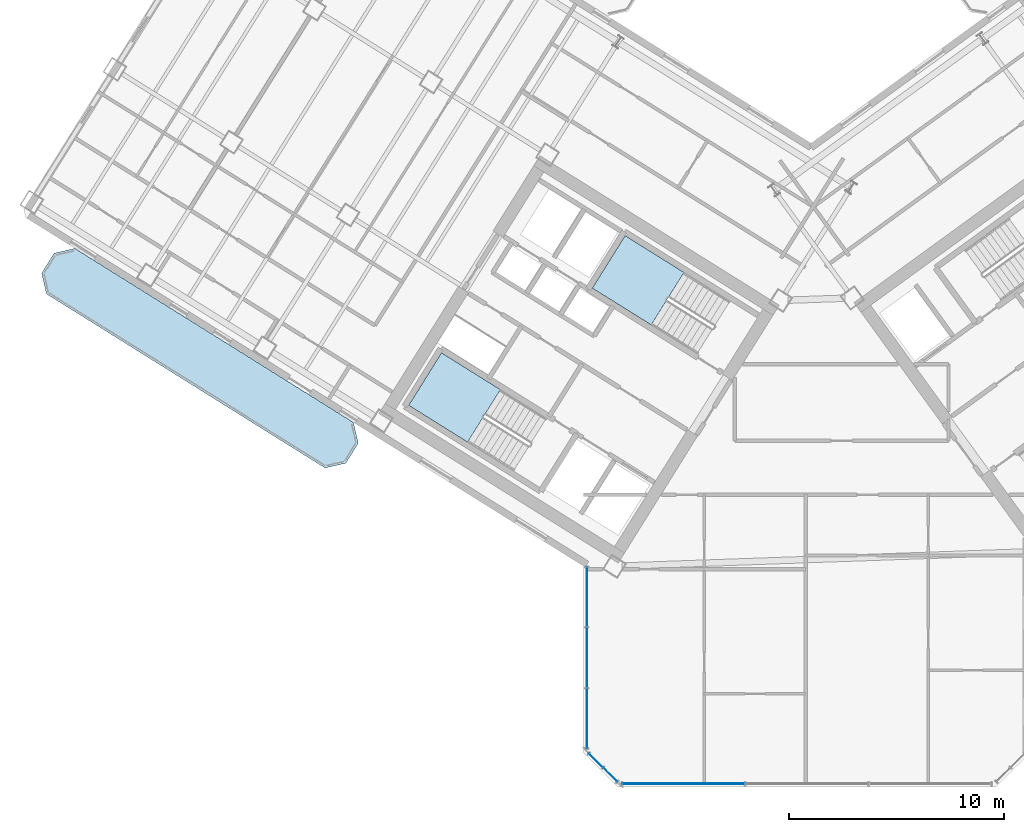
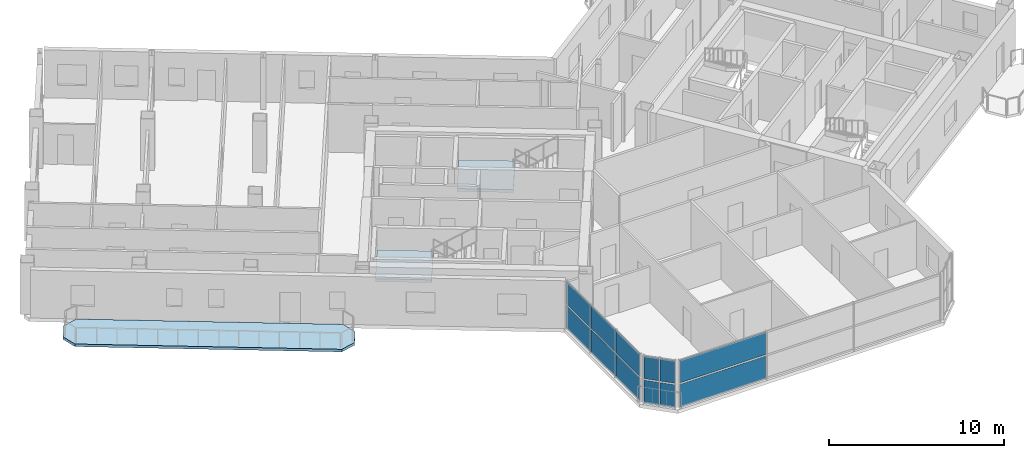
# One storey, part 8 of 20: 12 plates, 3 slabs, 5 elements without a shape of their own.
"""IFC4 building model written with IfcOpenShell, lengths in metres."""

from ifc_helpers import new_model, si_unit, direction, frame, origin, origin_2d, place, context, subcontext, project, spatial, polyline, rectangle, outline, extrude, source, transform, mapped, material, layer, layer_set, type_object, element, aggregate, save


model = new_model("IFC4")

# Units and contexts
model_context = context("Model", 3, precision=1e-05, world=origin(), true_north=direction((0.0, 1.0)))
body_context = subcontext(model_context, "Body", "Model", "MODEL_VIEW")
ifc_project = project(units=[si_unit("LENGTHUNIT", "METRE"), si_unit("AREAUNIT", "SQUARE_METRE"), si_unit("VOLUMEUNIT", "CUBIC_METRE"), si_unit("PLANEANGLEUNIT", "RADIAN"), si_unit("MASSUNIT", "GRAM", prefix="KILO")], contexts=[model_context])

# Site, building, storey
site_placement = place(None, origin())
site = spatial("IfcSite", under=ifc_project, at=site_placement, CompositionType="ELEMENT")
building_placement = place(site_placement, origin())
building = spatial("IfcBuilding", under=site, at=building_placement, Name="Tlacorven Tower", CompositionType="ELEMENT")
storey_placement = place(building_placement, frame((0.0, 0.0, 204.0)))
storey = spatial("IfcBuildingStorey", under=building, at=storey_placement, Name="L51", CompositionType="ELEMENT", Elevation=204.0)

# Slab
ifc_material_1 = material(Name="Precast concrete C45/55", Category="concrete")
ifc_layer_1 = layer(ifc_material_1, 0.179931640625)
ifc_layer_set_1 = layer_set([ifc_layer_1], Name="Precast concrete C45/55")
slab_type_1 = type_object("IfcSlabType", Name="SL-BAL-180", PredefinedType="USERDEFINED", material=ifc_layer_set_1)
slab_1_placement = place(storey_placement, frame((0.0, 0.0, -0.179931640625)))
element("IfcSlab", 1, at=slab_1_placement, inside=storey, type_object=slab_type_1, Name="L51 West Wing Balcony Ribbon OUT", ObjectType="BALCONY SLAB", PredefinedType="USERDEFINED", context=body_context, shape_type="SweptSolid", body=[
    extrude(outline(polyline([(20.88671875, 18.78271484375), (7.91162109375, 26.890625), (6.947021484375, 26.66796875), (6.366943359375, 25.7392578125), (6.589599609375, 24.774658203125), (19.564697265625, 16.6669921875), (20.529296875, 16.8896484375), (21.109375, 17.818115234375), (20.88671875, 18.78271484375)])), origin(), (0.0, 0.0, 1.0), 0.179931640625),
])

# Stair, slab
ifc_material_2 = material(Name="Concrete C40/50", Category="concrete")
stair_type = type_object("IfcStairType", Name="ST-CORE-DLG", PredefinedType="HALF_TURN_STAIR", material=ifc_material_2)
stair_1_placement = place(storey_placement, origin())
stair_1 = element("IfcStair", 2, at=stair_1_placement, inside=storey, type_object=stair_type, Name="L51 Protected Exit Stair West 1", PredefinedType="HALF_TURN_STAIR")
ifc_layer_2 = layer(ifc_material_2, 0.199951171875)
ifc_layer_set_2 = layer_set([ifc_layer_2], Name="Concrete C40/50")
slab_type_2 = type_object("IfcSlabType", Name="SL-LND-200", PredefinedType="LANDING", material=ifc_layer_set_2)
slab_2_placement = place(storey_placement, frame((0.0, 0.0, 1.60009765625)))
slab_2 = element("IfcSlab", 3, at=slab_2_placement, type_object=slab_type_2, Name="ST-W1 landing 1", PredefinedType="LANDING", context=body_context, shape_type="SweptSolid", body=[
    extrude(outline(polyline([(27.728515625, 20.315185546875), (24.9892578125, 22.02685546875), (23.463134765625, 19.58447265625), (26.2021484375, 17.872802734375), (27.728515625, 20.315185546875)])), origin(), (0.0, 0.0, 1.0), 0.199951171875),
])
aggregate(stair_1, [slab_2])

stair_2_placement = place(storey_placement, origin())
stair_2 = element("IfcStair", 4, at=stair_2_placement, inside=storey, type_object=stair_type, Name="L51 Protected Exit Stair West 2", PredefinedType="HALF_TURN_STAIR")
slab_3_placement = place(storey_placement, frame((0.0, 0.0, 1.60009765625)))
slab_3 = element("IfcSlab", 5, at=slab_3_placement, type_object=slab_type_2, Name="ST-W2 landing 1", PredefinedType="LANDING", context=body_context, shape_type="SweptSolid", body=[
    extrude(outline(polyline([(36.280029296875, 25.772705078125), (33.540771484375, 27.484375), (32.0146484375, 25.0419921875), (34.75390625, 23.33056640625), (36.280029296875, 25.772705078125)])), origin(), (0.0, 0.0, 1.0), 0.199951171875),
])
aggregate(stair_2, [slab_3])

# Curtain wall, plates
ifc_material_3 = material(Name="Dark solar low-E double glazing in aluminium frame", Category="aluminium")
curtain_wall_type = type_object("IfcCurtainWallType", Name="CW-TWR-HIGH", PredefinedType="USERDEFINED", material=ifc_material_3)
curtain_wall_1_placement = place(storey_placement, origin())
curtain_wall_1 = element("IfcCurtainWall", 6, at=curtain_wall_1_placement, inside=storey, type_object=curtain_wall_type, Name="L51 CW-TWR-HIGH Curtain Wall 234", ObjectType="UNITISED CURTAIN WALL", PredefinedType="USERDEFINED")
ifc_material_4 = material(Name="High-wind dark solar tempered low-E glazing", Category="glass")
ifc_layer_3 = layer(ifc_material_4, 0.028076171875)
ifc_layer_set_3 = layer_set([ifc_layer_3], Name="High-wind dark solar tempered low-E glazing")
plate_type = type_object("IfcPlateType", Name="CWP-03", PredefinedType="CURTAIN_PANEL", material=ifc_layer_set_3)
shared_shape_1 = source(origin(), body_context, "Body", "SweptSolid", [
    extrude(rectangle(XDim=0.89306640625, YDim=0.028076171875, at=origin_2d()), origin(), (0.0, 0.0, 1.0), 1.572998046875),
])
plate_1_placement = place(storey_placement, frame((32.84375, 2.382568359375, 0.05078125), z_axis=(0.0, 0.0, 1.0), x_axis=(-0.707106781187, 0.707106781187, 0.0)))
plate_1 = element("IfcPlate", 7, at=plate_1_placement, type_object=plate_type, Name="CW-L51-234 Glazing Panel 1", PredefinedType="CURTAIN_PANEL", context=body_context, shape_type="MappedRepresentation", body=[
    mapped(shared_shape_1, transform((0.0, 0.0, 0.0), scale=1.0)),
])
plate_2_placement = place(storey_placement, frame((32.84375, 2.382568359375, 1.72607421875), z_axis=(0.0, 0.0, 1.0), x_axis=(-0.707106781187, 0.707106781187, 0.0)))
plate_2 = element("IfcPlate", 8, at=plate_2_placement, type_object=plate_type, Name="CW-L51-234 Glazing Panel 2", PredefinedType="CURTAIN_PANEL", context=body_context, shape_type="MappedRepresentation", body=[
    mapped(shared_shape_1, transform((0.0, 0.0, 0.0), scale=1.0)),
])
plate_3_placement = place(storey_placement, frame((32.1826171875, 3.043701171875, 0.05078125), z_axis=(0.0, 0.0, 1.0), x_axis=(-0.707106781187, 0.707106781187, 0.0)))
plate_3 = element("IfcPlate", 9, at=plate_3_placement, type_object=plate_type, Name="CW-L51-234 Glazing Panel 3", PredefinedType="CURTAIN_PANEL", context=body_context, shape_type="MappedRepresentation", body=[
    mapped(shared_shape_1, transform((0.0, 0.0, 0.0), scale=1.0)),
])
plate_4_placement = place(storey_placement, frame((32.1826171875, 3.043701171875, 1.72607421875), z_axis=(0.0, 0.0, 1.0), x_axis=(-0.707106781187, 0.707106781187, 0.0)))
plate_4 = element("IfcPlate", 10, at=plate_4_placement, type_object=plate_type, Name="CW-L51-234 Glazing Panel 4", PredefinedType="CURTAIN_PANEL", context=body_context, shape_type="MappedRepresentation", body=[
    mapped(shared_shape_1, transform((0.0, 0.0, 0.0), scale=1.0)),
])
aggregate(curtain_wall_1, [plate_1, plate_2, plate_3, plate_4])

curtain_wall_2_placement = place(storey_placement, origin())
curtain_wall_2 = element("IfcCurtainWall", 11, at=curtain_wall_2_placement, inside=storey, type_object=curtain_wall_type, Name="L51 CW-TWR-HIGH Curtain Wall 233", ObjectType="UNITISED CURTAIN WALL", PredefinedType="USERDEFINED")
shared_shape_2 = source(origin(), body_context, "Body", "SweptSolid", [
    extrude(rectangle(XDim=5.683837890625, YDim=0.028076171875, at=origin_2d()), origin(), (0.0, 0.0, 1.0), 1.572998046875),
])
plate_5_placement = place(storey_placement, frame((36.25927734375, 1.9599609375, 0.05078125), z_axis=(0.0, 0.0, 1.0), x_axis=(-1.0, 0.0, 0.0)))
plate_5 = element("IfcPlate", 12, at=plate_5_placement, type_object=plate_type, Name="CW-L51-233 Glazing Panel 5", PredefinedType="CURTAIN_PANEL", context=body_context, shape_type="MappedRepresentation", body=[
    mapped(shared_shape_2, transform((0.0, 0.0, 0.0), scale=1.0)),
])
plate_6_placement = place(storey_placement, frame((36.25927734375, 1.9599609375, 1.72607421875), z_axis=(0.0, 0.0, 1.0), x_axis=(-1.0, 0.0, 0.0)))
plate_6 = element("IfcPlate", 13, at=plate_6_placement, type_object=plate_type, Name="CW-L51-233 Glazing Panel 6", PredefinedType="CURTAIN_PANEL", context=body_context, shape_type="MappedRepresentation", body=[
    mapped(shared_shape_2, transform((0.0, 0.0, 0.0), scale=1.0)),
])
aggregate(curtain_wall_2, [plate_5, plate_6])

curtain_wall_3_placement = place(storey_placement, origin())
curtain_wall_3 = element("IfcCurtainWall", 14, at=curtain_wall_3_placement, inside=storey, type_object=curtain_wall_type, Name="L51 CW-TWR-HIGH Curtain Wall 235", ObjectType="UNITISED CURTAIN WALL", PredefinedType="USERDEFINED")
shared_shape_3 = source(origin(), body_context, "Body", "SweptSolid", [
    extrude(rectangle(XDim=2.766845703125, YDim=0.028076171875, at=origin_2d()), origin(), (0.0, 0.0, 1.0), 1.572998046875),
])
plate_7_placement = place(storey_placement, frame((31.760009765625, 5.000732421875, 0.05078125), z_axis=(0.0, 0.0, 1.0), x_axis=(0.0, 1.0, 0.0)))
plate_7 = element("IfcPlate", 15, at=plate_7_placement, type_object=plate_type, Name="CW-L51-235 Glazing Panel 1", PredefinedType="CURTAIN_PANEL", context=body_context, shape_type="MappedRepresentation", body=[
    mapped(shared_shape_3, transform((0.0, 0.0, 0.0), scale=1.0)),
])
plate_8_placement = place(storey_placement, frame((31.760009765625, 5.000732421875, 1.72607421875), z_axis=(0.0, 0.0, 1.0), x_axis=(0.0, 1.0, 0.0)))
plate_8 = element("IfcPlate", 16, at=plate_8_placement, type_object=plate_type, Name="CW-L51-235 Glazing Panel 2", PredefinedType="CURTAIN_PANEL", context=body_context, shape_type="MappedRepresentation", body=[
    mapped(shared_shape_3, transform((0.0, 0.0, 0.0), scale=1.0)),
])
plate_9_placement = place(storey_placement, frame((31.760009765625, 10.648681640625, 0.05078125), z_axis=(0.0, 0.0, 1.0), x_axis=(0.0, 1.0, 0.0)))
plate_9 = element("IfcPlate", 17, at=plate_9_placement, type_object=plate_type, Name="CW-L51-235 Glazing Panel 5", PredefinedType="CURTAIN_PANEL", context=body_context, shape_type="MappedRepresentation", body=[
    mapped(shared_shape_3, transform((0.0, 0.0, 0.0), scale=1.0)),
])
plate_10_placement = place(storey_placement, frame((31.760009765625, 10.648681640625, 1.72607421875), z_axis=(0.0, 0.0, 1.0), x_axis=(0.0, 1.0, 0.0)))
plate_10 = element("IfcPlate", 18, at=plate_10_placement, type_object=plate_type, Name="CW-L51-235 Glazing Panel 6", PredefinedType="CURTAIN_PANEL", context=body_context, shape_type="MappedRepresentation", body=[
    mapped(shared_shape_3, transform((0.0, 0.0, 0.0), scale=1.0)),
])
shared_shape_4 = source(origin(), body_context, "Body", "SweptSolid", [
    extrude(rectangle(XDim=2.796875, YDim=0.028076171875, at=origin_2d()), origin(), (0.0, 0.0, 1.0), 1.572998046875),
])
plate_11_placement = place(storey_placement, frame((31.760009765625, 7.82470703125, 0.05078125), z_axis=(0.0, 0.0, 1.0), x_axis=(0.0, 1.0, 0.0)))
plate_11 = element("IfcPlate", 19, at=plate_11_placement, type_object=plate_type, Name="CW-L51-235 Glazing Panel 3", PredefinedType="CURTAIN_PANEL", context=body_context, shape_type="MappedRepresentation", body=[
    mapped(shared_shape_4, transform((0.0, 0.0, 0.0), scale=1.0)),
])
plate_12_placement = place(storey_placement, frame((31.760009765625, 7.82470703125, 1.72607421875), z_axis=(0.0, 0.0, 1.0), x_axis=(0.0, 1.0, 0.0)))
plate_12 = element("IfcPlate", 20, at=plate_12_placement, type_object=plate_type, Name="CW-L51-235 Glazing Panel 4", PredefinedType="CURTAIN_PANEL", context=body_context, shape_type="MappedRepresentation", body=[
    mapped(shared_shape_4, transform((0.0, 0.0, 0.0), scale=1.0)),
])
aggregate(curtain_wall_3, [plate_7, plate_8, plate_11, plate_12, plate_9, plate_10])

save(model, "model.ifc")
